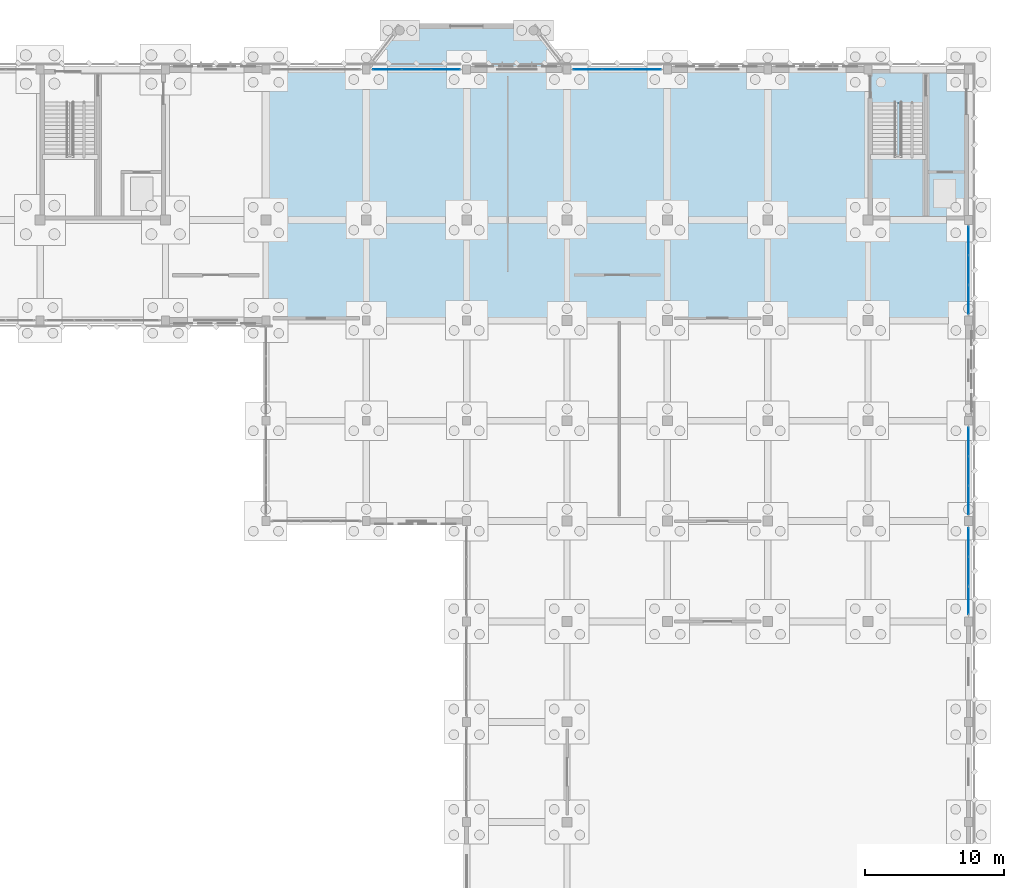
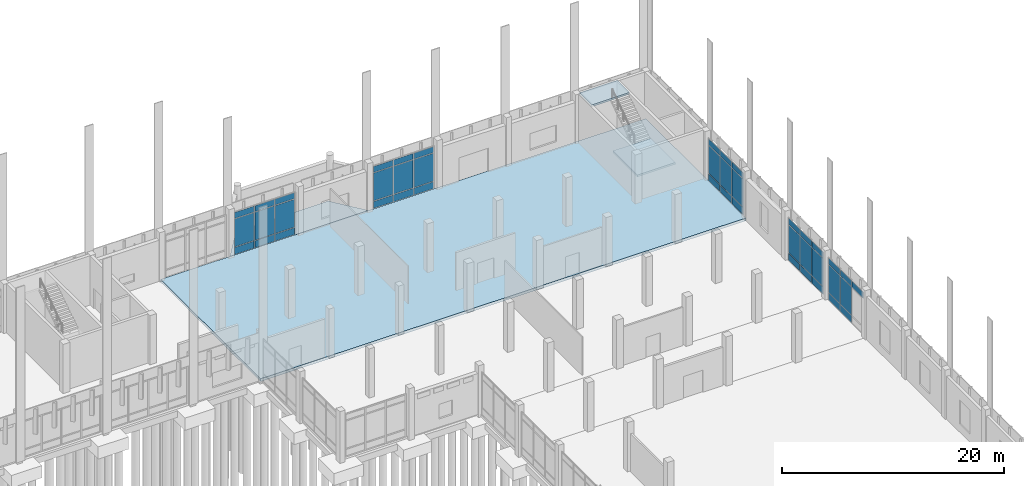
# One storey, part 79 of 109: 43 plates, 4 slabs, 6 elements without a shape of their own.
"""IFC4 building model written with IfcOpenShell, lengths in metres."""

import ifcopenshell
import ifcopenshell.guid

model = None  # the IFC model being written
_history = None  # IfcOwnerHistory: only IFC2X3 demands one
_inside = {}  # id of a spatial element -> (the spatial element, [elements in it])
_under = {}  # id of a project, library or spatial element -> (it, [spatial elements below it])
_declared = {}  # id of a project -> (the project, [libraries it declares])
_typed = {}  # id of a type object -> (the type object, [elements of that type])
_made_of = {}  # id of a material, layer set ... -> (it, [elements and type objects made of it])


def new_model(schema):
    """Start an empty IFC model of exactly this schema.

    Asked for "IFC4X3", IfcOpenShell would pick the latest addendum, in which some entities
    have other attributes; the version numbers below select the first issue.
    IFC2X3 requires an IfcOwnerHistory on every rooted entity: one is made here for all.
    """
    global model, _history
    if schema == "IFC4X3":
        model = ifcopenshell.file(schema_version=(4, 3, 0, 0))
    else:
        model = ifcopenshell.file(schema=schema)
    _inside.clear()
    _under.clear()
    _declared.clear()
    _typed.clear()
    _made_of.clear()
    _history = None
    if model.schema == "IFC2X3":
        org = make("IfcOrganization", Name="unknown")
        user = make(
            "IfcPersonAndOrganization",
            ThePerson=make("IfcPerson", FamilyName="unknown"),
            TheOrganization=org,
        )
        app = make(
            "IfcApplication",
            ApplicationDeveloper=org,
            Version="unknown",
            ApplicationFullName="unknown",
            ApplicationIdentifier="unknown",
        )
        _history = make(
            "IfcOwnerHistory",
            OwningUser=user,
            OwningApplication=app,
            ChangeAction="ADDED",
            CreationDate=0,
        )
    return model


def make(cls, **values):
    """One entity of the class cls with the attributes given. An attribute that is None is left unset."""
    return model.create_entity(
        cls, **{name: value for name, value in values.items() if value is not None}
    )


def rooted(cls, **values):
    """An entity with a GlobalId (a new one), such as an element, a storey or a relation."""
    return make(cls, GlobalId=ifcopenshell.guid.new(), OwnerHistory=_history, **values)


def si_unit(unit_type, name, prefix=None):
    """IfcSIUnit, for example si_unit("LENGTHUNIT", "METRE", prefix="MILLI")."""
    return make("IfcSIUnit", UnitType=unit_type, Prefix=prefix, Name=name)


def assignment(units):
    """IfcUnitAssignment: the units of a project."""
    return None if units is None else make("IfcUnitAssignment", Units=units)


def point(xyz):
    """IfcCartesianPoint."""
    return None if xyz is None else make("IfcCartesianPoint", Coordinates=xyz)


def direction(xyz):
    """IfcDirection."""
    return None if xyz is None else make("IfcDirection", DirectionRatios=xyz)


def frame(location, z_axis=None, x_axis=None):
    """IfcAxis2Placement3D, a coordinate frame: its origin and axes. An axis left out is left unset."""
    return make(
        "IfcAxis2Placement3D",
        Location=point(location),
        Axis=direction(z_axis),
        RefDirection=direction(x_axis),
    )


def frame_2d(location, x_axis=None):
    """IfcAxis2Placement2D, a coordinate frame in the plane: its origin and x axis."""
    return make(
        "IfcAxis2Placement2D", Location=point(location), RefDirection=direction(x_axis)
    )


def origin():
    """The frame at (0, 0, 0) with its axes left unset."""
    return frame((0.0, 0.0, 0.0))


def origin_2d():
    """The frame at (0, 0) in the plane with its x axis left unset."""
    return frame_2d((0.0, 0.0))


def place(relative_to, where):
    """IfcLocalPlacement: puts the frame where relative to a parent placement (None: the world)."""
    return make(
        "IfcLocalPlacement", PlacementRelTo=relative_to, RelativePlacement=where
    )


def context(
    kind, dimensions, precision=None, world=None, true_north=None, identifier=None
):
    """IfcGeometricRepresentationContext, for example the 3D "Model" context."""
    return make(
        "IfcGeometricRepresentationContext",
        ContextIdentifier=identifier,
        ContextType=kind,
        CoordinateSpaceDimension=dimensions,
        Precision=precision,
        WorldCoordinateSystem=world,
        TrueNorth=true_north,
    )


def subcontext(parent, identifier, kind, view, scale=None):
    """IfcGeometricRepresentationSubContext, for example "Body" below "Model"."""
    return make(
        "IfcGeometricRepresentationSubContext",
        ContextIdentifier=identifier,
        ContextType=kind,
        ParentContext=parent,
        TargetScale=scale,
        TargetView=view,
    )


def project(units=None, contexts=None):
    """IfcProject with its units and contexts."""
    return rooted(
        "IfcProject",
        Name="project",
        RepresentationContexts=contexts,
        UnitsInContext=assignment(units),
    )


def spatial(cls, under=None, at=None, **own):
    """A site, building, storey or space (cls), placed at a placement, below another one or the project."""
    s = rooted(cls, ObjectPlacement=at, **own)
    if under is not None:
        _under.setdefault(under.id(), (under, []))[1].append(s)
    return s


def polyline(points):
    """IfcPolyline through the points."""
    return make("IfcPolyline", Points=[point(p) for p in points])


def profile(cls, at=None, kind="AREA", **sizes):
    """A parametric profile (cls). Its sizes go by their IFC names, for example OverallWidth=200.0."""
    return make(cls, ProfileType=kind, Position=at, **sizes)


def rectangle(**sizes):
    """IfcRectangleProfileDef."""
    return profile("IfcRectangleProfileDef", **sizes)


def outline(outer, holes=None, kind="AREA"):
    """IfcArbitraryClosedProfileDef: a profile drawn as a closed curve; with holes, ...WithVoids."""
    if holes is None:
        return make("IfcArbitraryClosedProfileDef", ProfileType=kind, OuterCurve=outer)
    return make(
        "IfcArbitraryProfileDefWithVoids",
        ProfileType=kind,
        OuterCurve=outer,
        InnerCurves=holes,
    )


def extrude(swept, where, along, depth):
    """IfcExtrudedAreaSolid: the profile swept, set in the frame where, extruded along a direction by depth."""
    return make(
        "IfcExtrudedAreaSolid",
        SweptArea=swept,
        Position=where,
        ExtrudedDirection=direction(along),
        Depth=depth,
    )


def shape(context_of_items, identifier, shape_type, items):
    """IfcShapeRepresentation: the items that make up one representation, for example the "Body"."""
    return make(
        "IfcShapeRepresentation",
        ContextOfItems=context_of_items,
        RepresentationIdentifier=identifier,
        RepresentationType=shape_type,
        Items=items,
    )


def material(Name=None, Category=None):
    """IfcMaterial."""
    return make("IfcMaterial", Name=Name, Category=Category)


def layer(
    of_material, thickness, ventilated=None, Name=None, Category=None, Priority=None
):
    """IfcMaterialLayer: one layer of a wall or slab, of a material (None: an air gap)."""
    return make(
        "IfcMaterialLayer",
        Material=of_material,
        LayerThickness=thickness,
        IsVentilated=ventilated,
        Name=Name,
        Category=Category,
        Priority=Priority,
    )


def layer_set(layers, Name=None):
    """IfcMaterialLayerSet."""
    return make("IfcMaterialLayerSet", MaterialLayers=layers, LayerSetName=Name)


def made_of(thing, what):
    """Note that an element or type object is made of a material, layer set ...; save() writes the relation."""
    if what is not None:
        _made_of.setdefault(what.id(), (what, []))[1].append(thing)
    return thing


def type_object(cls, material=None, **own):
    """A type object (cls), such as IfcWallType, which elements share."""
    return made_of(rooted(cls, **own), material)


def element(
    cls,
    number,
    at=None,
    inside=None,
    cuts=None,
    type_object=None,
    material=None,
    context=None,
    identifier="Body",
    shape_type=None,
    held_by="IfcProductDefinitionShape",
    body=None,
    shapes=None,
    **own,
):
    """One element of the class cls, such as IfcWall. Its Tag is "e" and its number.

    at: its placement. inside: the storey or other place that contains it. cuts: it is an
    opening in that element (IfcRelVoidsElement). A single representation is given by context,
    identifier, shape_type and body (its items); several are given by shapes. held_by: the class
    of the entity that holds the representations. save() writes the other relations.
    """
    e = rooted(cls, Tag="e%d" % number, ObjectPlacement=at, **own)
    if body is not None:
        shapes = [shape(context, identifier, shape_type, body)]
    if shapes is not None:
        e.Representation = make(held_by, Representations=shapes)
    if inside is not None:
        _inside.setdefault(inside.id(), (inside, []))[1].append(e)
    if cuts is not None:
        rooted(
            "IfcRelVoidsElement", RelatingBuildingElement=cuts, RelatedOpeningElement=e
        )
    if type_object is not None:
        _typed.setdefault(type_object.id(), (type_object, []))[1].append(e)
    return made_of(e, material)


def aggregate(whole, parts):
    """IfcRelAggregates: a whole, such as a stair, and the parts it consists of."""
    return rooted("IfcRelAggregates", RelatingObject=whole, RelatedObjects=parts)


def save(model, path):
    """Write the relations noted so far, then the file.

    IfcRelAggregates (storeys below a building ...), IfcRelContainedInSpatialStructure (elements
    in a storey), IfcRelDefinesByType, IfcRelAssociatesMaterial and IfcRelDeclares: one each for
    every whole, place, type object, material and project.
    """
    for whole, parts in _under.values():
        aggregate(whole, parts)
    for where, things in _inside.values():
        rooted(
            "IfcRelContainedInSpatialStructure",
            RelatedElements=things,
            RelatingStructure=where,
        )
    for kind, things in _typed.values():
        rooted("IfcRelDefinesByType", RelatedObjects=things, RelatingType=kind)
    for what, things in _made_of.values():
        rooted("IfcRelAssociatesMaterial", RelatedObjects=things, RelatingMaterial=what)
    for by, libraries in _declared.values():
        rooted("IfcRelDeclares", RelatingContext=by, RelatedDefinitions=libraries)
    model.write(path)


model = new_model("IFC4")

# Units and contexts
model_context = context("Model", 3, precision=1e-05, world=origin(), true_north=direction((0.0, 1.0)))
body_context = subcontext(model_context, "Body", "Model", "MODEL_VIEW")
ifc_project = project(units=[si_unit("LENGTHUNIT", "METRE"), si_unit("AREAUNIT", "SQUARE_METRE"), si_unit("VOLUMEUNIT", "CUBIC_METRE"), si_unit("PLANEANGLEUNIT", "RADIAN"), si_unit("MASSUNIT", "GRAM", prefix="KILO")], contexts=[model_context])

# Site, building, storey
site_placement = place(None, origin())
site = spatial("IfcSite", under=ifc_project, at=site_placement, CompositionType="ELEMENT")
building_placement = place(site_placement, origin())
building = spatial("IfcBuilding", under=site, at=building_placement, Name="Lusvemor Sports Hall", CompositionType="ELEMENT")
storey_placement = place(building_placement, origin())
storey = spatial("IfcBuildingStorey", under=building, at=storey_placement, Name="L00", CompositionType="ELEMENT", Elevation=0.0)

# Curtain wall, plates
ifc_material_1 = material(Name="Thermally broken bronze-anodized aluminium", Category="aluminium")
curtain_wall_type_1 = type_object("IfcCurtainWallType", Name="CW_WING_B", PredefinedType="NOTDEFINED", material=ifc_material_1)
curtain_wall_1_placement = place(storey_placement, origin())
curtain_wall_1 = element("IfcCurtainWall", 1, at=curtain_wall_1_placement, inside=storey, type_object=curtain_wall_type_1, Name="Curtain Wall CW-L00-N-1-13", PredefinedType="NOTDEFINED")
ifc_material_2 = material(Name="Solar-control laminated double glazing", Category="glass")
ifc_layer_1 = layer(ifc_material_2, 0.028076171875)
ifc_layer_set_1 = layer_set([ifc_layer_1], Name="Solar-control laminated double glazing")
plate_type_1 = type_object("IfcPlateType", Name="CW_PAN_GLZ_28", PredefinedType="CURTAIN_PANEL", material=ifc_layer_set_1)
plate_1_placement = place(storey_placement, frame((127.496337890625, 115.199951171875, 0.8798828125), z_axis=(0.0, 0.0, 1.0), x_axis=(1.0, 0.0, 0.0)))
plate_1 = element("IfcPlate", 2, at=plate_1_placement, type_object=plate_type_1, Name="CW02 panel 1.2", PredefinedType="CURTAIN_PANEL", context=body_context, shape_type="SweptSolid", body=[
    extrude(rectangle(XDim=2.0224609375, YDim=0.028076171875, at=origin_2d()), origin(), (0.0, 0.0, 1.0), 3.06005859375),
])
plate_2_placement = place(storey_placement, frame((127.496337890625, 115.199951171875, 4.0), z_axis=(0.0, 0.0, 1.0), x_axis=(1.0, 0.0, 0.0)))
plate_2 = element("IfcPlate", 3, at=plate_2_placement, type_object=plate_type_1, Name="CW02 panel 1.3", PredefinedType="CURTAIN_PANEL", context=body_context, shape_type="SweptSolid", body=[
    extrude(rectangle(XDim=2.0224609375, YDim=0.028076171875, at=origin_2d()), origin(), (0.0, 0.0, 1.0), 0.659912109375),
])
plate_3_placement = place(storey_placement, frame((129.60009765625, 115.199951171875, 0.8798828125), z_axis=(0.0, 0.0, 1.0), x_axis=(1.0, 0.0, 0.0)))
plate_3 = element("IfcPlate", 4, at=plate_3_placement, type_object=plate_type_1, Name="CW02 panel 2.2", PredefinedType="CURTAIN_PANEL", context=body_context, shape_type="SweptSolid", body=[
    extrude(rectangle(XDim=2.054931640625, YDim=0.028076171875, at=origin_2d()), origin(), (0.0, 0.0, 1.0), 3.06005859375),
])
plate_4_placement = place(storey_placement, frame((129.60009765625, 115.199951171875, 4.0), z_axis=(0.0, 0.0, 1.0), x_axis=(1.0, 0.0, 0.0)))
plate_4 = element("IfcPlate", 5, at=plate_4_placement, type_object=plate_type_1, Name="CW02 panel 2.3", PredefinedType="CURTAIN_PANEL", context=body_context, shape_type="SweptSolid", body=[
    extrude(rectangle(XDim=2.054931640625, YDim=0.028076171875, at=origin_2d()), origin(), (0.0, 0.0, 1.0), 0.659912109375),
])
plate_5_placement = place(storey_placement, frame((131.703857421875, 115.199951171875, 0.8798828125), z_axis=(0.0, 0.0, 1.0), x_axis=(1.0, 0.0, 0.0)))
plate_5 = element("IfcPlate", 6, at=plate_5_placement, type_object=plate_type_1, Name="CW02 panel 3.2", PredefinedType="CURTAIN_PANEL", context=body_context, shape_type="SweptSolid", body=[
    extrude(rectangle(XDim=2.0224609375, YDim=0.028076171875, at=origin_2d()), origin(), (0.0, 0.0, 1.0), 3.06005859375),
])
plate_6_placement = place(storey_placement, frame((131.703857421875, 115.199951171875, 4.0), z_axis=(0.0, 0.0, 1.0), x_axis=(1.0, 0.0, 0.0)))
plate_6 = element("IfcPlate", 7, at=plate_6_placement, type_object=plate_type_1, Name="CW02 panel 3.3", PredefinedType="CURTAIN_PANEL", context=body_context, shape_type="SweptSolid", body=[
    extrude(rectangle(XDim=2.0224609375, YDim=0.028076171875, at=origin_2d()), origin(), (0.0, 0.0, 1.0), 0.659912109375),
])

curtain_wall_2_placement = place(storey_placement, origin())
curtain_wall_2 = element("IfcCurtainWall", 8, at=curtain_wall_2_placement, inside=storey, type_object=curtain_wall_type_1, Name="Curtain Wall CW-L00-N-1-15", PredefinedType="NOTDEFINED")
plate_7_placement = place(storey_placement, frame((141.896240234375, 115.199951171875, 0.8798828125), z_axis=(0.0, 0.0, 1.0), x_axis=(1.0, 0.0, 0.0)))
plate_7 = element("IfcPlate", 9, at=plate_7_placement, type_object=plate_type_1, Name="CW02 panel 1.2", PredefinedType="CURTAIN_PANEL", context=body_context, shape_type="SweptSolid", body=[
    extrude(rectangle(XDim=2.0224609375, YDim=0.028076171875, at=origin_2d()), origin(), (0.0, 0.0, 1.0), 3.06005859375),
])
plate_8_placement = place(storey_placement, frame((141.896240234375, 115.199951171875, 4.0), z_axis=(0.0, 0.0, 1.0), x_axis=(1.0, 0.0, 0.0)))
plate_8 = element("IfcPlate", 10, at=plate_8_placement, type_object=plate_type_1, Name="CW02 panel 1.3", PredefinedType="CURTAIN_PANEL", context=body_context, shape_type="SweptSolid", body=[
    extrude(rectangle(XDim=2.0224609375, YDim=0.028076171875, at=origin_2d()), origin(), (0.0, 0.0, 1.0), 0.659912109375),
])
plate_9_placement = place(storey_placement, frame((144.0, 115.199951171875, 0.8798828125), z_axis=(0.0, 0.0, 1.0), x_axis=(1.0, 0.0, 0.0)))
plate_9 = element("IfcPlate", 11, at=plate_9_placement, type_object=plate_type_1, Name="CW02 panel 2.2", PredefinedType="CURTAIN_PANEL", context=body_context, shape_type="SweptSolid", body=[
    extrude(rectangle(XDim=2.054931640625, YDim=0.028076171875, at=origin_2d()), origin(), (0.0, 0.0, 1.0), 3.06005859375),
])
plate_10_placement = place(storey_placement, frame((144.0, 115.199951171875, 4.0), z_axis=(0.0, 0.0, 1.0), x_axis=(1.0, 0.0, 0.0)))
plate_10 = element("IfcPlate", 12, at=plate_10_placement, type_object=plate_type_1, Name="CW02 panel 2.3", PredefinedType="CURTAIN_PANEL", context=body_context, shape_type="SweptSolid", body=[
    extrude(rectangle(XDim=2.054931640625, YDim=0.028076171875, at=origin_2d()), origin(), (0.0, 0.0, 1.0), 0.659912109375),
])
plate_11_placement = place(storey_placement, frame((146.103759765625, 115.199951171875, 0.8798828125), z_axis=(0.0, 0.0, 1.0), x_axis=(1.0, 0.0, 0.0)))
plate_11 = element("IfcPlate", 13, at=plate_11_placement, type_object=plate_type_1, Name="CW02 panel 3.2", PredefinedType="CURTAIN_PANEL", context=body_context, shape_type="SweptSolid", body=[
    extrude(rectangle(XDim=2.0224609375, YDim=0.028076171875, at=origin_2d()), origin(), (0.0, 0.0, 1.0), 3.06005859375),
])
plate_12_placement = place(storey_placement, frame((146.103759765625, 115.199951171875, 4.0), z_axis=(0.0, 0.0, 1.0), x_axis=(1.0, 0.0, 0.0)))
plate_12 = element("IfcPlate", 14, at=plate_12_placement, type_object=plate_type_1, Name="CW02 panel 3.3", PredefinedType="CURTAIN_PANEL", context=body_context, shape_type="SweptSolid", body=[
    extrude(rectangle(XDim=2.0224609375, YDim=0.028076171875, at=origin_2d()), origin(), (0.0, 0.0, 1.0), 0.659912109375),
])

curtain_wall_3_placement = place(storey_placement, origin())
curtain_wall_3 = element("IfcCurtainWall", 15, at=curtain_wall_3_placement, inside=storey, type_object=curtain_wall_type_1, Name="Curtain Wall CW-L00-E-2-0", PredefinedType="NOTDEFINED")
plate_13_placement = place(storey_placement, frame((169.199951171875, 88.503662109375, 0.8798828125), z_axis=(0.0, 0.0, 1.0), x_axis=(0.0, -1.0, 0.0)))
plate_13 = element("IfcPlate", 16, at=plate_13_placement, type_object=plate_type_1, Name="CW02 panel 1.2", PredefinedType="CURTAIN_PANEL", context=body_context, shape_type="SweptSolid", body=[
    extrude(rectangle(XDim=2.0224609375, YDim=0.028076171875, at=origin_2d()), origin(), (0.0, 0.0, 1.0), 3.06005859375),
])
plate_14_placement = place(storey_placement, frame((169.199951171875, 88.503662109375, 4.0), z_axis=(0.0, 0.0, 1.0), x_axis=(0.0, -1.0, 0.0)))
plate_14 = element("IfcPlate", 17, at=plate_14_placement, type_object=plate_type_1, Name="CW02 panel 1.3", PredefinedType="CURTAIN_PANEL", context=body_context, shape_type="SweptSolid", body=[
    extrude(rectangle(XDim=2.0224609375, YDim=0.028076171875, at=origin_2d()), origin(), (0.0, 0.0, 1.0), 0.659912109375),
])
plate_15_placement = place(storey_placement, frame((169.199951171875, 86.39990234375, 0.8798828125), z_axis=(0.0, 0.0, 1.0), x_axis=(0.0, -1.0, 0.0)))
plate_15 = element("IfcPlate", 18, at=plate_15_placement, type_object=plate_type_1, Name="CW02 panel 2.2", PredefinedType="CURTAIN_PANEL", context=body_context, shape_type="SweptSolid", body=[
    extrude(rectangle(XDim=2.054931640625, YDim=0.028076171875, at=origin_2d()), origin(), (0.0, 0.0, 1.0), 3.06005859375),
])
plate_16_placement = place(storey_placement, frame((169.199951171875, 86.39990234375, 4.0), z_axis=(0.0, 0.0, 1.0), x_axis=(0.0, -1.0, 0.0)))
plate_16 = element("IfcPlate", 19, at=plate_16_placement, type_object=plate_type_1, Name="CW02 panel 2.3", PredefinedType="CURTAIN_PANEL", context=body_context, shape_type="SweptSolid", body=[
    extrude(rectangle(XDim=2.054931640625, YDim=0.028076171875, at=origin_2d()), origin(), (0.0, 0.0, 1.0), 0.659912109375),
])
plate_17_placement = place(storey_placement, frame((169.199951171875, 84.296142578125, 0.8798828125), z_axis=(0.0, 0.0, 1.0), x_axis=(0.0, -1.0, 0.0)))
plate_17 = element("IfcPlate", 20, at=plate_17_placement, type_object=plate_type_1, Name="CW02 panel 3.2", PredefinedType="CURTAIN_PANEL", context=body_context, shape_type="SweptSolid", body=[
    extrude(rectangle(XDim=2.0224609375, YDim=0.028076171875, at=origin_2d()), origin(), (0.0, 0.0, 1.0), 3.06005859375),
])
plate_18_placement = place(storey_placement, frame((169.199951171875, 84.296142578125, 4.0), z_axis=(0.0, 0.0, 1.0), x_axis=(0.0, -1.0, 0.0)))
plate_18 = element("IfcPlate", 21, at=plate_18_placement, type_object=plate_type_1, Name="CW02 panel 3.3", PredefinedType="CURTAIN_PANEL", context=body_context, shape_type="SweptSolid", body=[
    extrude(rectangle(XDim=2.0224609375, YDim=0.028076171875, at=origin_2d()), origin(), (0.0, 0.0, 1.0), 0.659912109375),
])

curtain_wall_4_placement = place(storey_placement, origin())
curtain_wall_4 = element("IfcCurtainWall", 22, at=curtain_wall_4_placement, inside=storey, type_object=curtain_wall_type_1, Name="Curtain Wall CW-L00-E-2-2", PredefinedType="NOTDEFINED")
plate_19_placement = place(storey_placement, frame((169.199951171875, 102.90380859375, 0.8798828125), z_axis=(0.0, 0.0, 1.0), x_axis=(0.0, -1.0, 0.0)))
plate_19 = element("IfcPlate", 23, at=plate_19_placement, type_object=plate_type_1, Name="CW02 panel 1.2", PredefinedType="CURTAIN_PANEL", context=body_context, shape_type="SweptSolid", body=[
    extrude(rectangle(XDim=2.0224609375, YDim=0.028076171875, at=origin_2d()), origin(), (0.0, 0.0, 1.0), 3.06005859375),
])
plate_20_placement = place(storey_placement, frame((169.199951171875, 102.90380859375, 4.0), z_axis=(0.0, 0.0, 1.0), x_axis=(0.0, -1.0, 0.0)))
plate_20 = element("IfcPlate", 24, at=plate_20_placement, type_object=plate_type_1, Name="CW02 panel 1.3", PredefinedType="CURTAIN_PANEL", context=body_context, shape_type="SweptSolid", body=[
    extrude(rectangle(XDim=2.0224609375, YDim=0.028076171875, at=origin_2d()), origin(), (0.0, 0.0, 1.0), 0.659912109375),
])
plate_21_placement = place(storey_placement, frame((169.199951171875, 100.800048828125, 0.8798828125), z_axis=(0.0, 0.0, 1.0), x_axis=(0.0, -1.0, 0.0)))
plate_21 = element("IfcPlate", 25, at=plate_21_placement, type_object=plate_type_1, Name="CW02 panel 2.2", PredefinedType="CURTAIN_PANEL", context=body_context, shape_type="SweptSolid", body=[
    extrude(rectangle(XDim=2.054931640625, YDim=0.028076171875, at=origin_2d()), origin(), (0.0, 0.0, 1.0), 3.06005859375),
])
plate_22_placement = place(storey_placement, frame((169.199951171875, 100.800048828125, 4.0), z_axis=(0.0, 0.0, 1.0), x_axis=(0.0, -1.0, 0.0)))
plate_22 = element("IfcPlate", 26, at=plate_22_placement, type_object=plate_type_1, Name="CW02 panel 2.3", PredefinedType="CURTAIN_PANEL", context=body_context, shape_type="SweptSolid", body=[
    extrude(rectangle(XDim=2.054931640625, YDim=0.028076171875, at=origin_2d()), origin(), (0.0, 0.0, 1.0), 0.659912109375),
])
plate_23_placement = place(storey_placement, frame((169.199951171875, 98.6962890625, 0.8798828125), z_axis=(0.0, 0.0, 1.0), x_axis=(0.0, -1.0, 0.0)))
plate_23 = element("IfcPlate", 27, at=plate_23_placement, type_object=plate_type_1, Name="CW02 panel 3.2", PredefinedType="CURTAIN_PANEL", context=body_context, shape_type="SweptSolid", body=[
    extrude(rectangle(XDim=2.0224609375, YDim=0.028076171875, at=origin_2d()), origin(), (0.0, 0.0, 1.0), 3.06005859375),
])
plate_24_placement = place(storey_placement, frame((169.199951171875, 98.6962890625, 4.0), z_axis=(0.0, 0.0, 1.0), x_axis=(0.0, -1.0, 0.0)))
plate_24 = element("IfcPlate", 28, at=plate_24_placement, type_object=plate_type_1, Name="CW02 panel 3.3", PredefinedType="CURTAIN_PANEL", context=body_context, shape_type="SweptSolid", body=[
    extrude(rectangle(XDim=2.0224609375, YDim=0.028076171875, at=origin_2d()), origin(), (0.0, 0.0, 1.0), 0.659912109375),
])

ifc_material_3 = material(Name="Thermally broken bronze-anodized aluminium", Category="aluminium")
curtain_wall_type_2 = type_object("IfcCurtainWallType", Name="CW_PASSAGE_E", PredefinedType="NOTDEFINED", material=ifc_material_3)
curtain_wall_5_placement = place(storey_placement, origin())
curtain_wall_5 = element("IfcCurtainWall", 29, at=curtain_wall_5_placement, inside=storey, type_object=curtain_wall_type_2, Name="Curtain Wall CW-NLINK-169-L00", PredefinedType="NOTDEFINED")
plate_25_placement = place(storey_placement, frame((169.199951171875, 77.109619140625, 3.97998046875), z_axis=(0.0, 0.0, 1.0), x_axis=(0.0, 1.0, 0.0)))
plate_25 = element("IfcPlate", 30, at=plate_25_placement, type_object=plate_type_1, Name="CW05 panel 1.3", PredefinedType="CURTAIN_PANEL", context=body_context, shape_type="SweptSolid", body=[
    extrude(rectangle(XDim=2.00927734375, YDim=0.028076171875, at=origin_2d()), origin(), (0.0, 0.0, 1.0), 0.659912109375),
])
plate_26_placement = place(storey_placement, frame((169.199951171875, 79.199951171875, 0.8798828125), z_axis=(0.0, 0.0, 1.0), x_axis=(0.0, 1.0, 0.0)))
plate_26 = element("IfcPlate", 31, at=plate_26_placement, type_object=plate_type_1, Name="CW05 panel 2.2", PredefinedType="CURTAIN_PANEL", context=body_context, shape_type="SweptSolid", body=[
    extrude(rectangle(XDim=2.041748046875, YDim=0.028076171875, at=origin_2d()), origin(), (0.0, 0.0, 1.0), 3.0400390625),
])
plate_27_placement = place(storey_placement, frame((169.199951171875, 79.199951171875, 3.97998046875), z_axis=(0.0, 0.0, 1.0), x_axis=(0.0, 1.0, 0.0)))
plate_27 = element("IfcPlate", 32, at=plate_27_placement, type_object=plate_type_1, Name="CW05 panel 2.3", PredefinedType="CURTAIN_PANEL", context=body_context, shape_type="SweptSolid", body=[
    extrude(rectangle(XDim=2.041748046875, YDim=0.028076171875, at=origin_2d()), origin(), (0.0, 0.0, 1.0), 0.659912109375),
])
plate_28_placement = place(storey_placement, frame((169.199951171875, 81.29052734375, 0.8798828125), z_axis=(0.0, 0.0, 1.0), x_axis=(0.0, 1.0, 0.0)))
plate_28 = element("IfcPlate", 33, at=plate_28_placement, type_object=plate_type_1, Name="CW05 panel 3.2", PredefinedType="CURTAIN_PANEL", context=body_context, shape_type="SweptSolid", body=[
    extrude(rectangle(XDim=2.00927734375, YDim=0.028076171875, at=origin_2d()), origin(), (0.0, 0.0, 1.0), 3.0400390625),
])
plate_29_placement = place(storey_placement, frame((169.199951171875, 81.29052734375, 3.97998046875), z_axis=(0.0, 0.0, 1.0), x_axis=(0.0, 1.0, 0.0)))
plate_29 = element("IfcPlate", 34, at=plate_29_placement, type_object=plate_type_1, Name="CW05 panel 3.3", PredefinedType="CURTAIN_PANEL", context=body_context, shape_type="SweptSolid", body=[
    extrude(rectangle(XDim=2.00927734375, YDim=0.028076171875, at=origin_2d()), origin(), (0.0, 0.0, 1.0), 0.659912109375),
])

# Plate
ifc_material_4 = material(Name="Emerald polychrome glazed ceramic cladding on Concrete C40/50 backing", Category="concrete")
ifc_layer_2 = layer(ifc_material_4, 0.048095703125)
ifc_layer_set_2 = layer_set([ifc_layer_2], Name="Emerald polychrome glazed ceramic cladding on Concrete C40/50 backing")
plate_type_2 = type_object("IfcPlateType", Name="CW_PAN_SPN_48", PredefinedType="CURTAIN_PANEL", material=ifc_layer_set_2)
plate_30_placement = place(storey_placement, frame((127.496337890625, 115.199951171875, 0.06005859375), z_axis=(0.0, 0.0, 1.0), x_axis=(1.0, 0.0, 0.0)))
plate_30 = element("IfcPlate", 35, at=plate_30_placement, type_object=plate_type_2, Name="CW02 panel 1.1", PredefinedType="CURTAIN_PANEL", context=body_context, shape_type="SweptSolid", body=[
    extrude(rectangle(XDim=2.0224609375, YDim=0.048095703125, at=origin_2d()), origin(), (0.0, 0.0, 1.0), 0.760009765625),
])

plate_31_placement = place(storey_placement, frame((129.60009765625, 115.199951171875, 0.06005859375), z_axis=(0.0, 0.0, 1.0), x_axis=(1.0, 0.0, 0.0)))
plate_31 = element("IfcPlate", 36, at=plate_31_placement, type_object=plate_type_2, Name="CW02 panel 2.1", PredefinedType="CURTAIN_PANEL", context=body_context, shape_type="SweptSolid", body=[
    extrude(rectangle(XDim=2.054931640625, YDim=0.048095703125, at=origin_2d()), origin(), (0.0, 0.0, 1.0), 0.760009765625),
])

plate_32_placement = place(storey_placement, frame((131.703857421875, 115.199951171875, 0.06005859375), z_axis=(0.0, 0.0, 1.0), x_axis=(1.0, 0.0, 0.0)))
plate_32 = element("IfcPlate", 37, at=plate_32_placement, type_object=plate_type_2, Name="CW02 panel 3.1", PredefinedType="CURTAIN_PANEL", context=body_context, shape_type="SweptSolid", body=[
    extrude(rectangle(XDim=2.0224609375, YDim=0.048095703125, at=origin_2d()), origin(), (0.0, 0.0, 1.0), 0.760009765625),
])

aggregate(curtain_wall_1, [plate_30, plate_1, plate_2, plate_31, plate_3, plate_4, plate_32, plate_5, plate_6])

plate_33_placement = place(storey_placement, frame((141.896240234375, 115.199951171875, 0.06005859375), z_axis=(0.0, 0.0, 1.0), x_axis=(1.0, 0.0, 0.0)))
plate_33 = element("IfcPlate", 38, at=plate_33_placement, type_object=plate_type_2, Name="CW02 panel 1.1", PredefinedType="CURTAIN_PANEL", context=body_context, shape_type="SweptSolid", body=[
    extrude(rectangle(XDim=2.0224609375, YDim=0.048095703125, at=origin_2d()), origin(), (0.0, 0.0, 1.0), 0.760009765625),
])

plate_34_placement = place(storey_placement, frame((144.0, 115.199951171875, 0.06005859375), z_axis=(0.0, 0.0, 1.0), x_axis=(1.0, 0.0, 0.0)))
plate_34 = element("IfcPlate", 39, at=plate_34_placement, type_object=plate_type_2, Name="CW02 panel 2.1", PredefinedType="CURTAIN_PANEL", context=body_context, shape_type="SweptSolid", body=[
    extrude(rectangle(XDim=2.054931640625, YDim=0.048095703125, at=origin_2d()), origin(), (0.0, 0.0, 1.0), 0.760009765625),
])

plate_35_placement = place(storey_placement, frame((146.103759765625, 115.199951171875, 0.06005859375), z_axis=(0.0, 0.0, 1.0), x_axis=(1.0, 0.0, 0.0)))
plate_35 = element("IfcPlate", 40, at=plate_35_placement, type_object=plate_type_2, Name="CW02 panel 3.1", PredefinedType="CURTAIN_PANEL", context=body_context, shape_type="SweptSolid", body=[
    extrude(rectangle(XDim=2.0224609375, YDim=0.048095703125, at=origin_2d()), origin(), (0.0, 0.0, 1.0), 0.760009765625),
])

aggregate(curtain_wall_2, [plate_33, plate_7, plate_8, plate_34, plate_9, plate_10, plate_35, plate_11, plate_12])

plate_36_placement = place(storey_placement, frame((169.199951171875, 88.503662109375, 0.06005859375), z_axis=(0.0, 0.0, 1.0), x_axis=(0.0, -1.0, 0.0)))
plate_36 = element("IfcPlate", 41, at=plate_36_placement, type_object=plate_type_2, Name="CW02 panel 1.1", PredefinedType="CURTAIN_PANEL", context=body_context, shape_type="SweptSolid", body=[
    extrude(rectangle(XDim=2.0224609375, YDim=0.048095703125, at=origin_2d()), origin(), (0.0, 0.0, 1.0), 0.760009765625),
])

plate_37_placement = place(storey_placement, frame((169.199951171875, 86.39990234375, 0.06005859375), z_axis=(0.0, 0.0, 1.0), x_axis=(0.0, -1.0, 0.0)))
plate_37 = element("IfcPlate", 42, at=plate_37_placement, type_object=plate_type_2, Name="CW02 panel 2.1", PredefinedType="CURTAIN_PANEL", context=body_context, shape_type="SweptSolid", body=[
    extrude(rectangle(XDim=2.054931640625, YDim=0.048095703125, at=origin_2d()), origin(), (0.0, 0.0, 1.0), 0.760009765625),
])

plate_38_placement = place(storey_placement, frame((169.199951171875, 84.296142578125, 0.06005859375), z_axis=(0.0, 0.0, 1.0), x_axis=(0.0, -1.0, 0.0)))
plate_38 = element("IfcPlate", 43, at=plate_38_placement, type_object=plate_type_2, Name="CW02 panel 3.1", PredefinedType="CURTAIN_PANEL", context=body_context, shape_type="SweptSolid", body=[
    extrude(rectangle(XDim=2.0224609375, YDim=0.048095703125, at=origin_2d()), origin(), (0.0, 0.0, 1.0), 0.760009765625),
])

aggregate(curtain_wall_3, [plate_36, plate_13, plate_14, plate_37, plate_15, plate_16, plate_38, plate_17, plate_18])

plate_39_placement = place(storey_placement, frame((169.199951171875, 102.90380859375, 0.06005859375), z_axis=(0.0, 0.0, 1.0), x_axis=(0.0, -1.0, 0.0)))
plate_39 = element("IfcPlate", 44, at=plate_39_placement, type_object=plate_type_2, Name="CW02 panel 1.1", PredefinedType="CURTAIN_PANEL", context=body_context, shape_type="SweptSolid", body=[
    extrude(rectangle(XDim=2.0224609375, YDim=0.048095703125, at=origin_2d()), origin(), (0.0, 0.0, 1.0), 0.760009765625),
])

plate_40_placement = place(storey_placement, frame((169.199951171875, 100.800048828125, 0.06005859375), z_axis=(0.0, 0.0, 1.0), x_axis=(0.0, -1.0, 0.0)))
plate_40 = element("IfcPlate", 45, at=plate_40_placement, type_object=plate_type_2, Name="CW02 panel 2.1", PredefinedType="CURTAIN_PANEL", context=body_context, shape_type="SweptSolid", body=[
    extrude(rectangle(XDim=2.054931640625, YDim=0.048095703125, at=origin_2d()), origin(), (0.0, 0.0, 1.0), 0.760009765625),
])

plate_41_placement = place(storey_placement, frame((169.199951171875, 98.6962890625, 0.06005859375), z_axis=(0.0, 0.0, 1.0), x_axis=(0.0, -1.0, 0.0)))
plate_41 = element("IfcPlate", 46, at=plate_41_placement, type_object=plate_type_2, Name="CW02 panel 3.1", PredefinedType="CURTAIN_PANEL", context=body_context, shape_type="SweptSolid", body=[
    extrude(rectangle(XDim=2.0224609375, YDim=0.048095703125, at=origin_2d()), origin(), (0.0, 0.0, 1.0), 0.760009765625),
])

aggregate(curtain_wall_4, [plate_39, plate_19, plate_20, plate_40, plate_21, plate_22, plate_41, plate_23, plate_24])

plate_42_placement = place(storey_placement, frame((169.199951171875, 79.199951171875, 0.06005859375), z_axis=(0.0, 0.0, 1.0), x_axis=(0.0, 1.0, 0.0)))
plate_42 = element("IfcPlate", 47, at=plate_42_placement, type_object=plate_type_2, Name="CW05 panel 2.1", PredefinedType="CURTAIN_PANEL", context=body_context, shape_type="SweptSolid", body=[
    extrude(rectangle(XDim=2.041748046875, YDim=0.048095703125, at=origin_2d()), origin(), (0.0, 0.0, 1.0), 0.760009765625),
])

plate_43_placement = place(storey_placement, frame((169.199951171875, 81.29052734375, 0.06005859375), z_axis=(0.0, 0.0, 1.0), x_axis=(0.0, 1.0, 0.0)))
plate_43 = element("IfcPlate", 48, at=plate_43_placement, type_object=plate_type_2, Name="CW05 panel 3.1", PredefinedType="CURTAIN_PANEL", context=body_context, shape_type="SweptSolid", body=[
    extrude(rectangle(XDim=2.00927734375, YDim=0.048095703125, at=origin_2d()), origin(), (0.0, 0.0, 1.0), 0.760009765625),
])

aggregate(curtain_wall_5, [plate_25, plate_42, plate_26, plate_27, plate_43, plate_28, plate_29])

# Slabs
ifc_material_5 = material(Name="Concrete C40/50", Category="concrete")
ifc_layer_3 = layer(ifc_material_5, 0.300048828125)
ifc_layer_set_3 = layer_set([ifc_layer_3], Name="Concrete C40/50")
slab_type_1 = type_object("IfcSlabType", Name="SLAB_BASE_300", PredefinedType="BASESLAB", material=ifc_layer_set_3)
slab_1_placement = place(storey_placement, frame((0.0, 0.0, -0.300048828125)))
element("IfcSlab", 49, at=slab_1_placement, inside=storey, type_object=slab_type_1, Name="Slab L00 V5-NE", PredefinedType="BASESLAB", context=body_context, shape_type="SweptSolid", body=[
    extrude(outline(polyline([(118.800048828125, 97.199951171875), (169.199951171875, 97.199951171875), (169.199951171875, 115.199951171875), (118.800048828125, 115.199951171875), (118.800048828125, 97.199951171875)])), origin(), (0.0, 0.0, 1.0), 0.300048828125),
])
slab_2_placement = place(storey_placement, frame((0.0, 0.0, -0.300048828125)))
element("IfcSlab", 50, at=slab_2_placement, inside=storey, type_object=slab_type_1, Name="Bow Pavilion Slab BOW-N3 (L00)", PredefinedType="BASESLAB", context=body_context, shape_type="SweptSolid", body=[
    extrude(outline(polyline([(126.0, 115.199951171875), (128.39990234375, 118.300048828125), (138.0, 118.300048828125), (140.39990234375, 115.199951171875), (126.0, 115.199951171875)])), origin(), (0.0, 0.0, 1.0), 0.300048828125),
])

# Stair, slabs
ifc_material_6 = material(Name="Concrete C40/50", Category="concrete")
stair_type = type_object("IfcStairType", Name="STAIR_CORE_540", PredefinedType="HALF_TURN_STAIR", material=ifc_material_6)
stair_placement = place(storey_placement, origin())
stair = element("IfcStair", 51, at=stair_placement, inside=storey, type_object=stair_type, Name="Escape Stair C5 (L00)", PredefinedType="HALF_TURN_STAIR")
ifc_material_7 = material(Name="Concrete C40/50", Category="concrete")
ifc_layer_4 = layer(ifc_material_7, 0.199951171875)
ifc_layer_set_4 = layer_set([ifc_layer_4], Name="Concrete C40/50")
slab_type_2 = type_object("IfcSlabType", Name="SLAB_LAND_200", PredefinedType="LANDING", material=ifc_layer_set_4)
slab_3_placement = place(storey_placement, frame((0.0, 0.0, 2.5)))
slab_3 = element("IfcSlab", 52, at=slab_3_placement, type_object=slab_type_2, Name="ST01 landing 1", PredefinedType="LANDING", context=body_context, shape_type="SweptSolid", body=[
    extrude(outline(polyline([(162.179931640625, 104.580078125), (166.1201171875, 104.580078125), (166.1201171875, 108.969970703125), (162.179931640625, 108.969970703125), (162.179931640625, 104.580078125)])), origin(), (0.0, 0.0, 1.0), 0.199951171875),
])
slab_4_placement = place(storey_placement, frame((0.0, 0.0, 5.199951171875)))
slab_4 = element("IfcSlab", 53, at=slab_4_placement, type_object=slab_type_2, Name="ST01 landing 2", PredefinedType="LANDING", context=body_context, shape_type="SweptSolid", body=[
    extrude(outline(polyline([(162.179931640625, 112.81005859375), (166.1201171875, 112.81005859375), (166.1201171875, 115.02001953125), (162.179931640625, 115.02001953125), (162.179931640625, 112.81005859375)])), origin(), (0.0, 0.0, 1.0), 0.199951171875),
])
aggregate(stair, [slab_3, slab_4])

save(model, "model.ifc")
